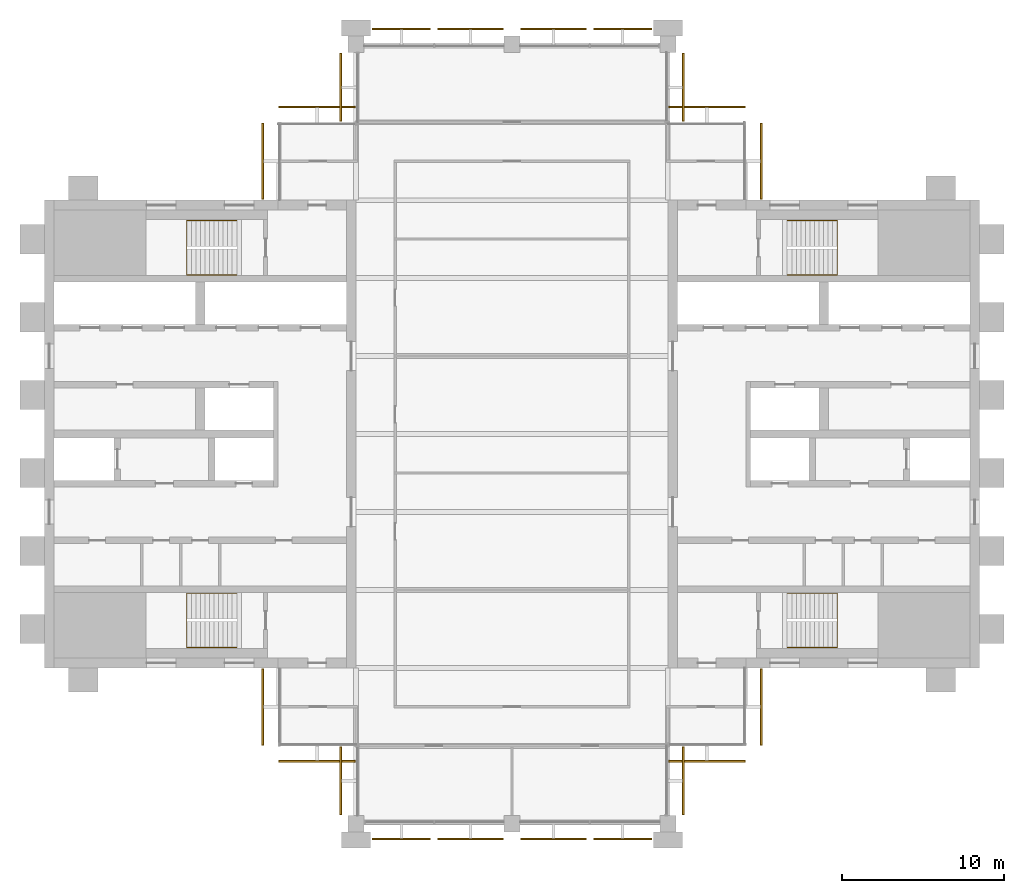
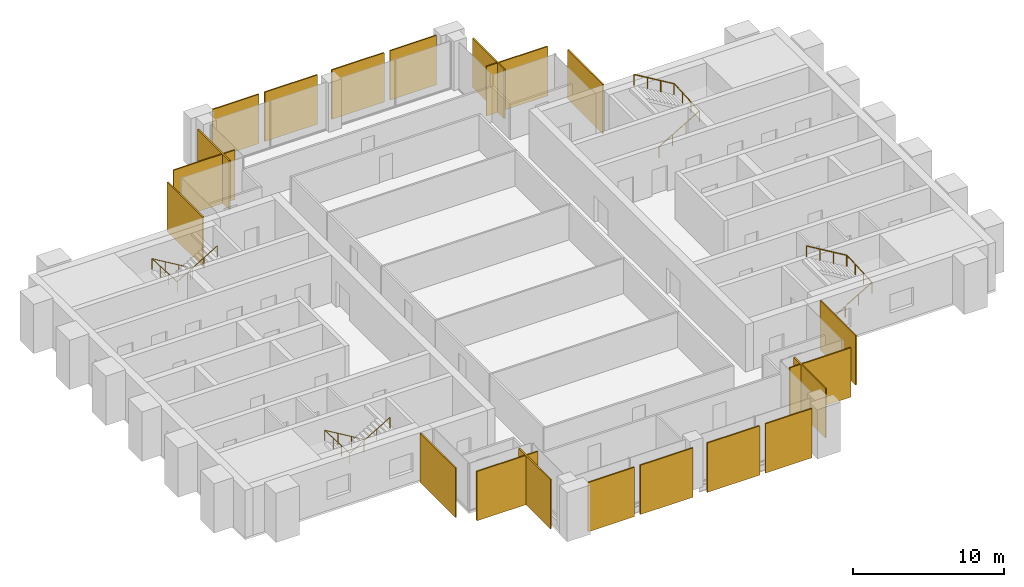
# One storey, part 12 of 12: 20 coverings, 4 railings.
"""IFC4 building model written with IfcOpenShell, lengths in metres."""

from ifc_helpers import new_model, si_unit, direction, frame, origin, origin_2d, place, context, subcontext, project, spatial, polyline, circle, outline, extrude, material, layer, layer_set, type_object, element, save


model = new_model("IFC4")

# Units and contexts
model_context = context("Model", 3, precision=1e-05, world=origin(), true_north=direction((0.0, 1.0)))
body_context = subcontext(model_context, "Body", "Model", "MODEL_VIEW")
ifc_project = project(units=[si_unit("LENGTHUNIT", "METRE"), si_unit("AREAUNIT", "SQUARE_METRE"), si_unit("VOLUMEUNIT", "CUBIC_METRE"), si_unit("PLANEANGLEUNIT", "RADIAN"), si_unit("MASSUNIT", "GRAM", prefix="KILO")], contexts=[model_context])

# Site, building, storey
site_placement = place(None, origin())
site = spatial("IfcSite", under=ifc_project, at=site_placement, CompositionType="ELEMENT")
building_placement = place(site_placement, origin())
building = spatial("IfcBuilding", under=site, at=building_placement, Name="Baori Bourse Tower", CompositionType="ELEMENT")
storey_placement = place(building_placement, frame((0.0, 0.0, 322.300048828125)))
storey = spatial("IfcBuildingStorey", under=building, at=storey_placement, Name="L71", CompositionType="ELEMENT", Elevation=322.300048828125)

# Railings
ifc_material_1 = material(Name="Powder-coated steel balustrade", Category="steel")
railing_type = type_object("IfcRailingType", Name="Core stair handrail", PredefinedType="HANDRAIL", material=ifc_material_1)
railing_1_placement = place(storey_placement, frame((11.85009765625, 14.199951171875, 0.16650390625)))
element("IfcRailing", 1, at=railing_1_placement, inside=storey, type_object=railing_type, Name="L71 ST1 stair handrail 1", PredefinedType="HANDRAIL", context=body_context, shape_type="SweptSolid", body=[
    extrude(circle(Radius=0.02392578125, at=origin_2d()), frame((0.0, 0.0, 0.8759765625), z_axis=(-0.85927862911, 0.0, 0.511507807912), x_axis=(0.0, -1.0, 0.0)), (0.0, 0.0, 1.0), 3.58447265625),
    extrude(circle(Radius=0.02392578125, at=origin_2d()), frame((-3.080078125, 0.0, 2.70947265625), z_axis=(0.0, -0.998766999029, 0.049643545903), x_axis=(1.0, 0.0, 0.0)), (0.0, 0.0, 1.0), 3.35400390625),
    extrude(circle(Radius=0.02392578125, at=origin_2d()), frame((-3.080078125, -3.349853515625, 2.8759765625), z_axis=(0.85927862911, 0.0, 0.511507807912), x_axis=(0.0, 1.0, 0.0)), (0.0, 0.0, 1.0), 3.58447265625),
    extrude(circle(Radius=0.02099609375, at=origin_2d()), origin(), (0.0, 0.0, 1.0), 0.851806640625),
    extrude(circle(Radius=0.02099609375, at=origin_2d()), frame((-1.026611328125, 0.0, 0.611083984375)), (0.0, 0.0, 1.0), 0.851806640625),
    extrude(circle(Radius=0.02099609375, at=origin_2d()), frame((-2.053466796875, 0.0, 1.222412109375)), (0.0, 0.0, 1.0), 0.851806640625),
    extrude(circle(Radius=0.02099609375, at=origin_2d()), frame((-3.080078125, 0.0, 1.83349609375)), (0.0, 0.0, 1.0), 0.851806640625),
    extrude(circle(Radius=0.02099609375, at=origin_2d()), frame((-3.080078125, -1.11669921875, 1.888916015625)), (0.0, 0.0, 1.0), 0.851806640625),
    extrude(circle(Radius=0.02099609375, at=origin_2d()), frame((-3.080078125, -2.233154296875, 1.944580078125)), (0.0, 0.0, 1.0), 0.851806640625),
    extrude(circle(Radius=0.02099609375, at=origin_2d()), frame((-3.080078125, -3.349853515625, 2.0)), (0.0, 0.0, 1.0), 0.851806640625),
    extrude(circle(Radius=0.02099609375, at=origin_2d()), frame((-2.053466796875, -3.349853515625, 2.611083984375)), (0.0, 0.0, 1.0), 0.851806640625),
    extrude(circle(Radius=0.02099609375, at=origin_2d()), frame((-1.026611328125, -3.349853515625, 3.222412109375)), (0.0, 0.0, 1.0), 0.851806640625),
    extrude(circle(Radius=0.02099609375, at=origin_2d()), frame((0.0, -3.349853515625, 3.83349609375)), (0.0, 0.0, 1.0), 0.851806640625),
])
railing_2_placement = place(storey_placement, frame((11.85009765625, 37.14990234375, 0.16650390625)))
element("IfcRailing", 2, at=railing_2_placement, inside=storey, type_object=railing_type, Name="L71 ST2 stair handrail 1", PredefinedType="HANDRAIL", context=body_context, shape_type="SweptSolid", body=[
    extrude(circle(Radius=0.02392578125, at=origin_2d()), frame((0.0, 0.0, 0.8759765625), z_axis=(-0.85927862911, 0.0, 0.511507807912), x_axis=(0.0, -1.0, 0.0)), (0.0, 0.0, 1.0), 3.58447265625),
    extrude(circle(Radius=0.02392578125, at=origin_2d()), frame((-3.080078125, 0.0, 2.70947265625), z_axis=(0.0, -0.998766999029, 0.049643545903), x_axis=(1.0, 0.0, 0.0)), (0.0, 0.0, 1.0), 3.35400390625),
    extrude(circle(Radius=0.02392578125, at=origin_2d()), frame((-3.080078125, -3.349853515625, 2.8759765625), z_axis=(0.85927862911, 0.0, 0.511507807912), x_axis=(0.0, 1.0, 0.0)), (0.0, 0.0, 1.0), 3.58447265625),
    extrude(circle(Radius=0.02099609375, at=origin_2d()), origin(), (0.0, 0.0, 1.0), 0.851806640625),
    extrude(circle(Radius=0.02099609375, at=origin_2d()), frame((-1.026611328125, 0.0, 0.611083984375)), (0.0, 0.0, 1.0), 0.851806640625),
    extrude(circle(Radius=0.02099609375, at=origin_2d()), frame((-2.053466796875, 0.0, 1.222412109375)), (0.0, 0.0, 1.0), 0.851806640625),
    extrude(circle(Radius=0.02099609375, at=origin_2d()), frame((-3.080078125, 0.0, 1.83349609375)), (0.0, 0.0, 1.0), 0.851806640625),
    extrude(circle(Radius=0.02099609375, at=origin_2d()), frame((-3.080078125, -1.11669921875, 1.888916015625)), (0.0, 0.0, 1.0), 0.851806640625),
    extrude(circle(Radius=0.02099609375, at=origin_2d()), frame((-3.080078125, -2.233154296875, 1.944580078125)), (0.0, 0.0, 1.0), 0.851806640625),
    extrude(circle(Radius=0.02099609375, at=origin_2d()), frame((-3.080078125, -3.349853515625, 2.0)), (0.0, 0.0, 1.0), 0.851806640625),
    extrude(circle(Radius=0.02099609375, at=origin_2d()), frame((-2.053466796875, -3.349853515625, 2.611083984375)), (0.0, 0.0, 1.0), 0.851806640625),
    extrude(circle(Radius=0.02099609375, at=origin_2d()), frame((-1.026611328125, -3.349853515625, 3.222412109375)), (0.0, 0.0, 1.0), 0.851806640625),
    extrude(circle(Radius=0.02099609375, at=origin_2d()), frame((0.0, -3.349853515625, 3.83349609375)), (0.0, 0.0, 1.0), 0.851806640625),
])
railing_3_placement = place(storey_placement, frame((45.75, 10.85009765625, 0.16650390625)))
element("IfcRailing", 3, at=railing_3_placement, inside=storey, type_object=railing_type, Name="L71 ST3 stair handrail 1", PredefinedType="HANDRAIL", context=body_context, shape_type="SweptSolid", body=[
    extrude(circle(Radius=0.02392578125, at=origin_2d()), frame((0.0, 0.0, 0.8759765625), z_axis=(0.85927862911, 0.0, 0.511507807912), x_axis=(0.0, 1.0, 0.0)), (0.0, 0.0, 1.0), 3.58447265625),
    extrude(circle(Radius=0.02392578125, at=origin_2d()), frame((3.080078125, 0.0, 2.70947265625), z_axis=(0.0, 0.998766999029, 0.049643545903), x_axis=(-1.0, 0.0, 0.0)), (0.0, 0.0, 1.0), 3.35400390625),
    extrude(circle(Radius=0.02392578125, at=origin_2d()), frame((3.080078125, 3.349853515625, 2.8759765625), z_axis=(-0.85927862911, 0.0, 0.511507807912), x_axis=(0.0, -1.0, 0.0)), (0.0, 0.0, 1.0), 3.58447265625),
    extrude(circle(Radius=0.02099609375, at=origin_2d()), origin(), (0.0, 0.0, 1.0), 0.851806640625),
    extrude(circle(Radius=0.02099609375, at=origin_2d()), frame((1.026611328125, 0.0, 0.611083984375)), (0.0, 0.0, 1.0), 0.851806640625),
    extrude(circle(Radius=0.02099609375, at=origin_2d()), frame((2.053466796875, 0.0, 1.222412109375)), (0.0, 0.0, 1.0), 0.851806640625),
    extrude(circle(Radius=0.02099609375, at=origin_2d()), frame((3.080078125, 0.0, 1.83349609375)), (0.0, 0.0, 1.0), 0.851806640625),
    extrude(circle(Radius=0.02099609375, at=origin_2d()), frame((3.080078125, 1.11669921875, 1.888916015625)), (0.0, 0.0, 1.0), 0.851806640625),
    extrude(circle(Radius=0.02099609375, at=origin_2d()), frame((3.080078125, 2.233154296875, 1.944580078125)), (0.0, 0.0, 1.0), 0.851806640625),
    extrude(circle(Radius=0.02099609375, at=origin_2d()), frame((3.080078125, 3.349853515625, 2.0)), (0.0, 0.0, 1.0), 0.851806640625),
    extrude(circle(Radius=0.02099609375, at=origin_2d()), frame((2.053466796875, 3.349853515625, 2.611083984375)), (0.0, 0.0, 1.0), 0.851806640625),
    extrude(circle(Radius=0.02099609375, at=origin_2d()), frame((1.026611328125, 3.349853515625, 3.222412109375)), (0.0, 0.0, 1.0), 0.851806640625),
    extrude(circle(Radius=0.02099609375, at=origin_2d()), frame((0.0, 3.349853515625, 3.83349609375)), (0.0, 0.0, 1.0), 0.851806640625),
])
railing_4_placement = place(storey_placement, frame((45.75, 33.800048828125, 0.16650390625)))
element("IfcRailing", 4, at=railing_4_placement, inside=storey, type_object=railing_type, Name="L71 ST4 stair handrail 1", PredefinedType="HANDRAIL", context=body_context, shape_type="SweptSolid", body=[
    extrude(circle(Radius=0.02392578125, at=origin_2d()), frame((0.0, 0.0, 0.8759765625), z_axis=(0.85927862911, 0.0, 0.511507807912), x_axis=(0.0, 1.0, 0.0)), (0.0, 0.0, 1.0), 3.58447265625),
    extrude(circle(Radius=0.02392578125, at=origin_2d()), frame((3.080078125, 0.0, 2.70947265625), z_axis=(0.0, 0.998766999029, 0.049643545903), x_axis=(-1.0, 0.0, 0.0)), (0.0, 0.0, 1.0), 3.35400390625),
    extrude(circle(Radius=0.02392578125, at=origin_2d()), frame((3.080078125, 3.349853515625, 2.8759765625), z_axis=(-0.85927862911, 0.0, 0.511507807912), x_axis=(0.0, -1.0, 0.0)), (0.0, 0.0, 1.0), 3.58447265625),
    extrude(circle(Radius=0.02099609375, at=origin_2d()), origin(), (0.0, 0.0, 1.0), 0.851806640625),
    extrude(circle(Radius=0.02099609375, at=origin_2d()), frame((1.026611328125, 0.0, 0.611083984375)), (0.0, 0.0, 1.0), 0.851806640625),
    extrude(circle(Radius=0.02099609375, at=origin_2d()), frame((2.053466796875, 0.0, 1.222412109375)), (0.0, 0.0, 1.0), 0.851806640625),
    extrude(circle(Radius=0.02099609375, at=origin_2d()), frame((3.080078125, 0.0, 1.83349609375)), (0.0, 0.0, 1.0), 0.851806640625),
    extrude(circle(Radius=0.02099609375, at=origin_2d()), frame((3.080078125, 1.11669921875, 1.888916015625)), (0.0, 0.0, 1.0), 0.851806640625),
    extrude(circle(Radius=0.02099609375, at=origin_2d()), frame((3.080078125, 2.233154296875, 1.944580078125)), (0.0, 0.0, 1.0), 0.851806640625),
    extrude(circle(Radius=0.02099609375, at=origin_2d()), frame((3.080078125, 3.349853515625, 2.0)), (0.0, 0.0, 1.0), 0.851806640625),
    extrude(circle(Radius=0.02099609375, at=origin_2d()), frame((2.053466796875, 3.349853515625, 2.611083984375)), (0.0, 0.0, 1.0), 0.851806640625),
    extrude(circle(Radius=0.02099609375, at=origin_2d()), frame((1.026611328125, 3.349853515625, 3.222412109375)), (0.0, 0.0, 1.0), 0.851806640625),
    extrude(circle(Radius=0.02099609375, at=origin_2d()), frame((0.0, 3.349853515625, 3.83349609375)), (0.0, 0.0, 1.0), 0.851806640625),
])

# Coverings
ifc_material_2 = material(Name="Pale anodised aluminium", Category="aluminium")
ifc_layer = layer(ifc_material_2, 0.10009765625)
ifc_layer_set = layer_set([ifc_layer], Name="OS3 Outer skin screen panel")
covering_type = type_object("IfcCoveringType", Name="OS3 Outer skin screen panel", PredefinedType="CLADDING", material=ifc_layer_set)
covering_1_placement = place(storey_placement, frame((0.0, 0.0, -0.16015625)))
element("IfcCovering", 5, at=covering_1_placement, inside=storey, type_object=covering_type, Name="Outer skin screen L71 1", PredefinedType="CLADDING", context=body_context, shape_type="SweptSolid", body=[
    extrude(outline(polyline([(44.10009765625, 43.14990234375), (44.10009765625, 38.449951171875), (44.199951171875, 38.449951171875), (44.199951171875, 43.14990234375), (44.10009765625, 43.14990234375)])), origin(), (0.0, 0.0, 1.0), 4.0),
])
covering_2_placement = place(storey_placement, frame((0.0, 0.0, -0.16015625)))
element("IfcCovering", 6, at=covering_2_placement, inside=storey, type_object=covering_type, Name="Outer skin screen L71 2", PredefinedType="CLADDING", context=body_context, shape_type="SweptSolid", body=[
    extrude(outline(polyline([(38.449951171875, 44.10009765625), (43.14990234375, 44.10009765625), (43.14990234375, 44.199951171875), (38.449951171875, 44.199951171875), (38.449951171875, 44.10009765625)])), origin(), (0.0, 0.0, 1.0), 4.0),
])
covering_3_placement = place(storey_placement, frame((0.0, 0.0, -0.16015625)))
element("IfcCovering", 7, at=covering_3_placement, inside=storey, type_object=covering_type, Name="Outer skin screen L71 3", PredefinedType="CLADDING", context=body_context, shape_type="SweptSolid", body=[
    extrude(outline(polyline([(39.300048828125, 47.449951171875), (39.300048828125, 43.25), (39.39990234375, 43.25), (39.39990234375, 47.449951171875), (39.300048828125, 47.449951171875)])), origin(), (0.0, 0.0, 1.0), 4.0),
])
covering_4_placement = place(storey_placement, frame((0.0, 0.0, -0.16015625)))
element("IfcCovering", 8, at=covering_4_placement, inside=storey, type_object=covering_type, Name="Outer skin screen L71 4", PredefinedType="CLADDING", context=body_context, shape_type="SweptSolid", body=[
    extrude(outline(polyline([(33.824951171875, 48.89990234375), (37.39990234375, 48.89990234375), (37.39990234375, 49.0), (33.824951171875, 49.0), (33.824951171875, 48.89990234375)])), origin(), (0.0, 0.0, 1.0), 4.0),
])
covering_5_placement = place(storey_placement, frame((0.0, 0.0, -0.16015625)))
element("IfcCovering", 9, at=covering_5_placement, inside=storey, type_object=covering_type, Name="Outer skin screen L71 5", PredefinedType="CLADDING", context=body_context, shape_type="SweptSolid", body=[
    extrude(outline(polyline([(29.35009765625, 48.89990234375), (33.375, 48.89990234375), (33.375, 49.0), (29.35009765625, 49.0), (29.35009765625, 48.89990234375)])), origin(), (0.0, 0.0, 1.0), 4.0),
])
covering_6_placement = place(storey_placement, frame((0.0, 0.0, -0.16015625)))
element("IfcCovering", 10, at=covering_6_placement, inside=storey, type_object=covering_type, Name="Outer skin screen L71 6", PredefinedType="CLADDING", context=body_context, shape_type="SweptSolid", body=[
    extrude(outline(polyline([(24.22509765625, 48.89990234375), (28.25, 48.89990234375), (28.25, 49.0), (24.22509765625, 49.0), (24.22509765625, 48.89990234375)])), origin(), (0.0, 0.0, 1.0), 4.0),
])
covering_7_placement = place(storey_placement, frame((0.0, 0.0, -0.16015625)))
element("IfcCovering", 11, at=covering_7_placement, inside=storey, type_object=covering_type, Name="Outer skin screen L71 7", PredefinedType="CLADDING", context=body_context, shape_type="SweptSolid", body=[
    extrude(outline(polyline([(20.199951171875, 48.89990234375), (23.77490234375, 48.89990234375), (23.77490234375, 49.0), (20.199951171875, 49.0), (20.199951171875, 48.89990234375)])), origin(), (0.0, 0.0, 1.0), 4.0),
])
covering_8_placement = place(storey_placement, frame((0.0, 0.0, -0.16015625)))
element("IfcCovering", 12, at=covering_8_placement, inside=storey, type_object=covering_type, Name="Outer skin screen L71 8", PredefinedType="CLADDING", context=body_context, shape_type="SweptSolid", body=[
    extrude(outline(polyline([(18.300048828125, 43.25), (18.300048828125, 47.449951171875), (18.199951171875, 47.449951171875), (18.199951171875, 43.25), (18.300048828125, 43.25)])), origin(), (0.0, 0.0, 1.0), 4.0),
])
covering_9_placement = place(storey_placement, frame((0.0, 0.0, -0.16015625)))
element("IfcCovering", 13, at=covering_9_placement, inside=storey, type_object=covering_type, Name="Outer skin screen L71 9", PredefinedType="CLADDING", context=body_context, shape_type="SweptSolid", body=[
    extrude(outline(polyline([(14.449951171875, 44.10009765625), (19.14990234375, 44.10009765625), (19.14990234375, 44.199951171875), (14.449951171875, 44.199951171875), (14.449951171875, 44.10009765625)])), origin(), (0.0, 0.0, 1.0), 4.0),
])
covering_10_placement = place(storey_placement, frame((0.0, 0.0, -0.16015625)))
element("IfcCovering", 14, at=covering_10_placement, inside=storey, type_object=covering_type, Name="Outer skin screen L71 10", PredefinedType="CLADDING", context=body_context, shape_type="SweptSolid", body=[
    extrude(outline(polyline([(13.5, 38.449951171875), (13.5, 43.14990234375), (13.39990234375, 43.14990234375), (13.39990234375, 38.449951171875), (13.5, 38.449951171875)])), origin(), (0.0, 0.0, 1.0), 4.0),
])
covering_11_placement = place(storey_placement, frame((0.0, 0.0, -0.16015625)))
element("IfcCovering", 15, at=covering_11_placement, inside=storey, type_object=covering_type, Name="Outer skin screen L71 11", PredefinedType="CLADDING", context=body_context, shape_type="SweptSolid", body=[
    extrude(outline(polyline([(13.5, 4.85009765625), (13.5, 9.550048828125), (13.39990234375, 9.550048828125), (13.39990234375, 4.85009765625), (13.5, 4.85009765625)])), origin(), (0.0, 0.0, 1.0), 4.0),
])
covering_12_placement = place(storey_placement, frame((0.0, 0.0, -0.16015625)))
element("IfcCovering", 16, at=covering_12_placement, inside=storey, type_object=covering_type, Name="Outer skin screen L71 12", PredefinedType="CLADDING", context=body_context, shape_type="SweptSolid", body=[
    extrude(outline(polyline([(19.14990234375, 3.89990234375), (14.449951171875, 3.89990234375), (14.449951171875, 3.800048828125), (19.14990234375, 3.800048828125), (19.14990234375, 3.89990234375)])), origin(), (0.0, 0.0, 1.0), 4.0),
])
covering_13_placement = place(storey_placement, frame((0.0, 0.0, -0.16015625)))
element("IfcCovering", 17, at=covering_13_placement, inside=storey, type_object=covering_type, Name="Outer skin screen L71 13", PredefinedType="CLADDING", context=body_context, shape_type="SweptSolid", body=[
    extrude(outline(polyline([(18.300048828125, 0.550048828125), (18.300048828125, 4.75), (18.199951171875, 4.75), (18.199951171875, 0.550048828125), (18.300048828125, 0.550048828125)])), origin(), (0.0, 0.0, 1.0), 4.0),
])
covering_14_placement = place(storey_placement, frame((0.0, 0.0, -0.16015625)))
element("IfcCovering", 18, at=covering_14_placement, inside=storey, type_object=covering_type, Name="Outer skin screen L71 14", PredefinedType="CLADDING", context=body_context, shape_type="SweptSolid", body=[
    extrude(outline(polyline([(23.77490234375, -0.89990234375), (20.199951171875, -0.89990234375), (20.199951171875, -1.0), (23.77490234375, -1.0), (23.77490234375, -0.89990234375)])), origin(), (0.0, 0.0, 1.0), 4.0),
])
covering_15_placement = place(storey_placement, frame((0.0, 0.0, -0.16015625)))
element("IfcCovering", 19, at=covering_15_placement, inside=storey, type_object=covering_type, Name="Outer skin screen L71 15", PredefinedType="CLADDING", context=body_context, shape_type="SweptSolid", body=[
    extrude(outline(polyline([(28.25, -0.89990234375), (24.22509765625, -0.89990234375), (24.22509765625, -1.0), (28.25, -1.0), (28.25, -0.89990234375)])), origin(), (0.0, 0.0, 1.0), 4.0),
])
covering_16_placement = place(storey_placement, frame((0.0, 0.0, -0.16015625)))
element("IfcCovering", 20, at=covering_16_placement, inside=storey, type_object=covering_type, Name="Outer skin screen L71 16", PredefinedType="CLADDING", context=body_context, shape_type="SweptSolid", body=[
    extrude(outline(polyline([(33.375, -0.89990234375), (29.35009765625, -0.89990234375), (29.35009765625, -1.0), (33.375, -1.0), (33.375, -0.89990234375)])), origin(), (0.0, 0.0, 1.0), 4.0),
])
covering_17_placement = place(storey_placement, frame((0.0, 0.0, -0.16015625)))
element("IfcCovering", 21, at=covering_17_placement, inside=storey, type_object=covering_type, Name="Outer skin screen L71 17", PredefinedType="CLADDING", context=body_context, shape_type="SweptSolid", body=[
    extrude(outline(polyline([(37.39990234375, -0.89990234375), (33.824951171875, -0.89990234375), (33.824951171875, -1.0), (37.39990234375, -1.0), (37.39990234375, -0.89990234375)])), origin(), (0.0, 0.0, 1.0), 4.0),
])
covering_18_placement = place(storey_placement, frame((0.0, 0.0, -0.16015625)))
element("IfcCovering", 22, at=covering_18_placement, inside=storey, type_object=covering_type, Name="Outer skin screen L71 18", PredefinedType="CLADDING", context=body_context, shape_type="SweptSolid", body=[
    extrude(outline(polyline([(39.300048828125, 4.75), (39.300048828125, 0.550048828125), (39.39990234375, 0.550048828125), (39.39990234375, 4.75), (39.300048828125, 4.75)])), origin(), (0.0, 0.0, 1.0), 4.0),
])
covering_19_placement = place(storey_placement, frame((0.0, 0.0, -0.16015625)))
element("IfcCovering", 23, at=covering_19_placement, inside=storey, type_object=covering_type, Name="Outer skin screen L71 19", PredefinedType="CLADDING", context=body_context, shape_type="SweptSolid", body=[
    extrude(outline(polyline([(43.14990234375, 3.89990234375), (38.449951171875, 3.89990234375), (38.449951171875, 3.800048828125), (43.14990234375, 3.800048828125), (43.14990234375, 3.89990234375)])), origin(), (0.0, 0.0, 1.0), 4.0),
])
covering_20_placement = place(storey_placement, frame((0.0, 0.0, -0.16015625)))
element("IfcCovering", 24, at=covering_20_placement, inside=storey, type_object=covering_type, Name="Outer skin screen L71 20", PredefinedType="CLADDING", context=body_context, shape_type="SweptSolid", body=[
    extrude(outline(polyline([(44.10009765625, 9.550048828125), (44.10009765625, 4.85009765625), (44.199951171875, 4.85009765625), (44.199951171875, 9.550048828125), (44.10009765625, 9.550048828125)])), origin(), (0.0, 0.0, 1.0), 4.0),
])

save(model, "model.ifc")
